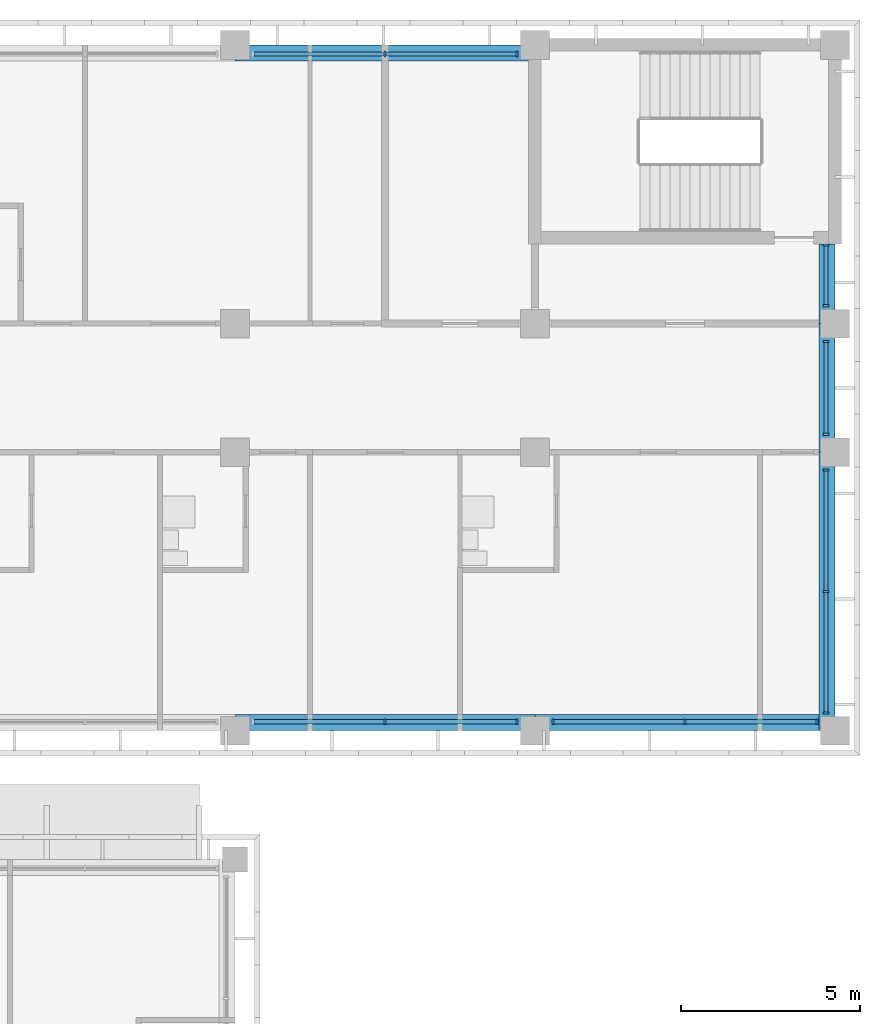
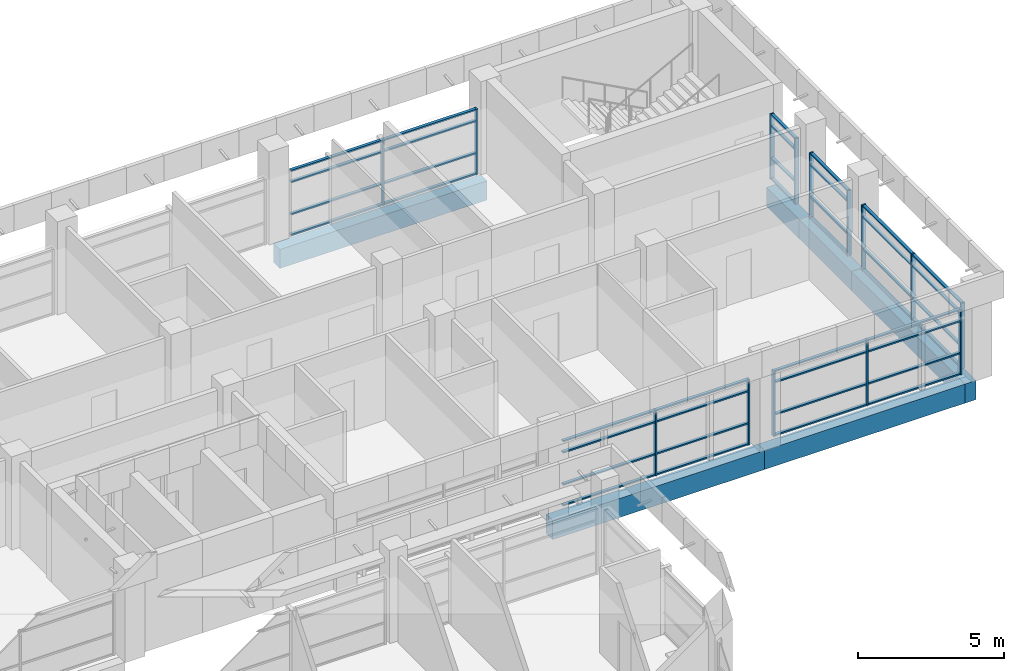
# One storey, part 19 of 71: 54 members, 6 beams, 6 elements without a shape of their own.
"""IFC4 building model written with IfcOpenShell, lengths in metres."""

from ifc_helpers import new_model, si_unit, direction, frame, origin, origin_2d, place, context, subcontext, project, spatial, rectangle, extrude, material, material_profile, profile_set, type_object, element, aggregate, save


model = new_model("IFC4")

# Units and contexts
model_context = context("Model", 3, precision=1e-05, world=origin(), true_north=direction((0.0, 1.0)))
body_context = subcontext(model_context, "Body", "Model", "MODEL_VIEW")
ifc_project = project(units=[si_unit("LENGTHUNIT", "METRE"), si_unit("AREAUNIT", "SQUARE_METRE"), si_unit("VOLUMEUNIT", "CUBIC_METRE"), si_unit("PLANEANGLEUNIT", "RADIAN"), si_unit("MASSUNIT", "GRAM", prefix="KILO")], contexts=[model_context])

# Site, building, storey
site_placement = place(None, origin())
site = spatial("IfcSite", under=ifc_project, at=site_placement, CompositionType="ELEMENT")
building_placement = place(site_placement, origin())
building = spatial("IfcBuilding", under=site, at=building_placement, Name="Bougainvillea Quay General Hospital", CompositionType="ELEMENT")
storey_placement = place(building_placement, frame((0.0, 0.0, 24.89990234375)))
storey = spatial("IfcBuildingStorey", under=building, at=storey_placement, Name="L05", CompositionType="ELEMENT", Elevation=24.89990234375)

# Curtain wall, members
ifc_material_1 = material(Name="Aluminium curtain wall system, powder-coated glazed", Category="aluminium")
curtain_wall_type_1 = type_object("IfcCurtainWallType", Name="Unitised curtain wall CW-3730", PredefinedType="NOTDEFINED", material=ifc_material_1)
curtain_wall_1_placement = place(storey_placement, origin())
curtain_wall_1 = element("IfcCurtainWall", 1, at=curtain_wall_1_placement, inside=storey, type_object=curtain_wall_type_1, Name="CW-4200 00", PredefinedType="NOTDEFINED")
ifc_material_2 = material(Name="Aluminium mullion, powder-coated charcoal", Category="aluminium")
ifc_material_profile_1 = material_profile(ifc_material_2, rectangle(XDim=0.159912109375, YDim=0.06005859375, at=origin_2d()))
ifc_profile_set_1 = profile_set([ifc_material_profile_1], Name="Aluminium mullion, powder-coated charcoal")
member_type_1 = type_object("IfcMemberType", Name="Curtain wall mullion 160x60", PredefinedType="MULLION", material=ifc_profile_set_1)
member_1_placement = place(storey_placement, frame((175.89990234375, 159.35009765625, 0.0), z_axis=(0.0, 0.0, 1.0), x_axis=(0.0, -1.0, 0.0)))
member_1 = element("IfcMember", 2, at=member_1_placement, type_object=member_type_1, Name="CW-4200 mullion 1", PredefinedType="MULLION", context=body_context, shape_type="SweptSolid", body=[
    extrude(rectangle(XDim=0.159912109375, YDim=0.06005859375, at=origin_2d()), origin(), (0.0, 0.0, 1.0), 2.75),
])
member_2_placement = place(storey_placement, frame((172.199951171875, 159.35009765625, 0.0), z_axis=(0.0, 0.0, 1.0), x_axis=(0.0, -1.0, 0.0)))
member_2 = element("IfcMember", 3, at=member_2_placement, type_object=member_type_1, Name="CW-4200 mullion 2", PredefinedType="MULLION", context=body_context, shape_type="SweptSolid", body=[
    extrude(rectangle(XDim=0.159912109375, YDim=0.06005859375, at=origin_2d()), origin(), (0.0, 0.0, 1.0), 2.75),
])

curtain_wall_2_placement = place(storey_placement, origin())
curtain_wall_2 = element("IfcCurtainWall", 4, at=curtain_wall_2_placement, inside=storey, type_object=curtain_wall_type_1, Name="CW-4200 01", PredefinedType="NOTDEFINED")
member_3_placement = place(storey_placement, frame((172.199951171875, 140.64990234375, 0.0), z_axis=(0.0, 0.0, 1.0), x_axis=(0.0, 1.0, 0.0)))
member_3 = element("IfcMember", 5, at=member_3_placement, type_object=member_type_1, Name="CW-4200 mullion 2", PredefinedType="MULLION", context=body_context, shape_type="SweptSolid", body=[
    extrude(rectangle(XDim=0.159912109375, YDim=0.06005859375, at=origin_2d()), origin(), (0.0, 0.0, 1.0), 2.75),
])
member_4_placement = place(storey_placement, frame((175.89990234375, 140.64990234375, 0.0), z_axis=(0.0, 0.0, 1.0), x_axis=(0.0, 1.0, 0.0)))
member_4 = element("IfcMember", 6, at=member_4_placement, type_object=member_type_1, Name="CW-4200 mullion 3", PredefinedType="MULLION", context=body_context, shape_type="SweptSolid", body=[
    extrude(rectangle(XDim=0.159912109375, YDim=0.06005859375, at=origin_2d()), origin(), (0.0, 0.0, 1.0), 2.75),
])

curtain_wall_3_placement = place(storey_placement, origin())
curtain_wall_3 = element("IfcCurtainWall", 7, at=curtain_wall_3_placement, inside=storey, type_object=curtain_wall_type_1, Name="CW-4200 02", PredefinedType="NOTDEFINED")
member_5_placement = place(storey_placement, frame((176.89990234375, 140.64990234375, 0.0), z_axis=(0.0, 0.0, 1.0), x_axis=(0.0, 1.0, 0.0)))
member_5 = element("IfcMember", 8, at=member_5_placement, type_object=member_type_1, Name="CW-4200 mullion 1", PredefinedType="MULLION", context=body_context, shape_type="SweptSolid", body=[
    extrude(rectangle(XDim=0.159912109375, YDim=0.06005859375, at=origin_2d()), origin(), (0.0, 0.0, 1.0), 2.75),
])
member_6_placement = place(storey_placement, frame((180.60009765625, 140.64990234375, 0.0), z_axis=(0.0, 0.0, 1.0), x_axis=(0.0, 1.0, 0.0)))
member_6 = element("IfcMember", 9, at=member_6_placement, type_object=member_type_1, Name="CW-4200 mullion 2", PredefinedType="MULLION", context=body_context, shape_type="SweptSolid", body=[
    extrude(rectangle(XDim=0.159912109375, YDim=0.06005859375, at=origin_2d()), origin(), (0.0, 0.0, 1.0), 2.75),
])
member_7_placement = place(storey_placement, frame((184.300048828125, 140.64990234375, 0.0), z_axis=(0.0, 0.0, 1.0), x_axis=(0.0, 1.0, 0.0)))
member_7 = element("IfcMember", 10, at=member_7_placement, type_object=member_type_1, Name="CW-4200 mullion 3", PredefinedType="MULLION", context=body_context, shape_type="SweptSolid", body=[
    extrude(rectangle(XDim=0.159912109375, YDim=0.06005859375, at=origin_2d()), origin(), (0.0, 0.0, 1.0), 2.75),
])

curtain_wall_type_2 = type_object("IfcCurtainWallType", Name="Unitised curtain wall CW-3430", PredefinedType="NOTDEFINED", material=ifc_material_1)
curtain_wall_4_placement = place(storey_placement, origin())
curtain_wall_4 = element("IfcCurtainWall", 11, at=curtain_wall_4_placement, inside=storey, type_object=curtain_wall_type_2, Name="CW-4200 00", PredefinedType="NOTDEFINED")
member_8_placement = place(storey_placement, frame((184.550048828125, 140.89990234375, 0.0), z_axis=(0.0, 0.0, 1.0), x_axis=(-1.0, 0.0, 0.0)))
member_8 = element("IfcMember", 12, at=member_8_placement, type_object=member_type_1, Name="CW-4200 mullion 1", PredefinedType="MULLION", context=body_context, shape_type="SweptSolid", body=[
    extrude(rectangle(XDim=0.159912109375, YDim=0.06005859375, at=origin_2d()), origin(), (0.0, 0.0, 1.0), 2.75),
])
member_9_placement = place(storey_placement, frame((184.550048828125, 144.300048828125, 0.0), z_axis=(0.0, 0.0, 1.0), x_axis=(-1.0, 0.0, 0.0)))
member_9 = element("IfcMember", 13, at=member_9_placement, type_object=member_type_1, Name="CW-4200 mullion 2", PredefinedType="MULLION", context=body_context, shape_type="SweptSolid", body=[
    extrude(rectangle(XDim=0.159912109375, YDim=0.06005859375, at=origin_2d()), origin(), (0.0, 0.0, 1.0), 2.75),
])
member_10_placement = place(storey_placement, frame((184.550048828125, 147.699951171875, 0.0), z_axis=(0.0, 0.0, 1.0), x_axis=(-1.0, 0.0, 0.0)))
member_10 = element("IfcMember", 14, at=member_10_placement, type_object=member_type_1, Name="CW-4200 mullion 3", PredefinedType="MULLION", context=body_context, shape_type="SweptSolid", body=[
    extrude(rectangle(XDim=0.159912109375, YDim=0.06005859375, at=origin_2d()), origin(), (0.0, 0.0, 1.0), 2.75),
])

curtain_wall_type_3 = type_object("IfcCurtainWallType", Name="Unitised curtain wall CW-2660", PredefinedType="NOTDEFINED", material=ifc_material_1)
curtain_wall_5_placement = place(storey_placement, origin())
curtain_wall_5 = element("IfcCurtainWall", 15, at=curtain_wall_5_placement, inside=storey, type_object=curtain_wall_type_3, Name="CW-4200 01", PredefinedType="NOTDEFINED")
member_11_placement = place(storey_placement, frame((184.550048828125, 148.699951171875, 0.0), z_axis=(0.0, 0.0, 1.0), x_axis=(-1.0, 0.0, 0.0)))
member_11 = element("IfcMember", 16, at=member_11_placement, type_object=member_type_1, Name="CW-4200 mullion 1", PredefinedType="MULLION", context=body_context, shape_type="SweptSolid", body=[
    extrude(rectangle(XDim=0.159912109375, YDim=0.06005859375, at=origin_2d()), origin(), (0.0, 0.0, 1.0), 2.75),
])
member_12_placement = place(storey_placement, frame((184.550048828125, 151.300048828125, 0.0), z_axis=(0.0, 0.0, 1.0), x_axis=(-1.0, 0.0, 0.0)))
member_12 = element("IfcMember", 17, at=member_12_placement, type_object=member_type_1, Name="CW-4200 mullion 2", PredefinedType="MULLION", context=body_context, shape_type="SweptSolid", body=[
    extrude(rectangle(XDim=0.159912109375, YDim=0.06005859375, at=origin_2d()), origin(), (0.0, 0.0, 1.0), 2.75),
])

curtain_wall_type_4 = type_object("IfcCurtainWallType", Name="Unitised curtain wall CW-1755", PredefinedType="NOTDEFINED", material=ifc_material_1)
curtain_wall_6_placement = place(storey_placement, origin())
curtain_wall_6 = element("IfcCurtainWall", 18, at=curtain_wall_6_placement, inside=storey, type_object=curtain_wall_type_4, Name="CW-4200 02", PredefinedType="NOTDEFINED")
member_13_placement = place(storey_placement, frame((184.550048828125, 152.300048828125, 0.0), z_axis=(0.0, 0.0, 1.0), x_axis=(-1.0, 0.0, 0.0)))
member_13 = element("IfcMember", 19, at=member_13_placement, type_object=member_type_1, Name="CW-4200 mullion 1", PredefinedType="MULLION", context=body_context, shape_type="SweptSolid", body=[
    extrude(rectangle(XDim=0.159912109375, YDim=0.06005859375, at=origin_2d()), origin(), (0.0, 0.0, 1.0), 2.75),
])
member_14_placement = place(storey_placement, frame((184.550048828125, 153.9951171875, 0.0), z_axis=(0.0, 0.0, 1.0), x_axis=(-1.0, 0.0, 0.0)))
member_14 = element("IfcMember", 20, at=member_14_placement, type_object=member_type_1, Name="CW-4200 mullion 2", PredefinedType="MULLION", context=body_context, shape_type="SweptSolid", body=[
    extrude(rectangle(XDim=0.159912109375, YDim=0.06005859375, at=origin_2d()), origin(), (0.0, 0.0, 1.0), 2.75),
])

# Member
ifc_material_3 = material(Name="Aluminium transom, powder-coated charcoal", Category="aluminium")
ifc_material_profile_2 = material_profile(ifc_material_3, rectangle(XDim=0.1201171875, YDim=0.06005859375, at=origin_2d()))
ifc_profile_set_2 = profile_set([ifc_material_profile_2], Name="Aluminium transom, powder-coated charcoal")
member_type_2 = type_object("IfcMemberType", Name="Curtain wall transom 120x60", PredefinedType="USERDEFINED", material=ifc_profile_set_2)
member_15_placement = place(storey_placement, frame((175.8701171875, 159.35009765625, 0.030029296875), z_axis=(-1.0, 0.0, 0.0), x_axis=(0.0, -1.0, 0.0)))
member_15 = element("IfcMember", 21, at=member_15_placement, type_object=member_type_2, Name="CW-4200 transom 1.1", ObjectType="TRANSOM", PredefinedType="USERDEFINED", context=body_context, shape_type="SweptSolid", body=[
    extrude(rectangle(XDim=0.1201171875, YDim=0.06005859375, at=origin_2d()), origin(), (0.0, 0.0, 1.0), 3.64013671875),
])

member_16_placement = place(storey_placement, frame((175.8701171875, 159.35009765625, 0.900146484375), z_axis=(-1.0, 0.0, 0.0), x_axis=(0.0, -1.0, 0.0)))
member_16 = element("IfcMember", 22, at=member_16_placement, type_object=member_type_2, Name="CW-4200 transom 1.2", ObjectType="TRANSOM", PredefinedType="USERDEFINED", context=body_context, shape_type="SweptSolid", body=[
    extrude(rectangle(XDim=0.1201171875, YDim=0.06005859375, at=origin_2d()), origin(), (0.0, 0.0, 1.0), 3.64013671875),
])

member_17_placement = place(storey_placement, frame((175.8701171875, 159.35009765625, 2.25), z_axis=(-1.0, 0.0, 0.0), x_axis=(0.0, -1.0, 0.0)))
member_17 = element("IfcMember", 23, at=member_17_placement, type_object=member_type_2, Name="CW-4200 transom 1.3", ObjectType="TRANSOM", PredefinedType="USERDEFINED", context=body_context, shape_type="SweptSolid", body=[
    extrude(rectangle(XDim=0.1201171875, YDim=0.06005859375, at=origin_2d()), origin(), (0.0, 0.0, 1.0), 3.64013671875),
])

member_18_placement = place(storey_placement, frame((175.8701171875, 159.35009765625, 2.72021484375), z_axis=(-1.0, 0.0, 0.0), x_axis=(0.0, -1.0, 0.0)))
member_18 = element("IfcMember", 24, at=member_18_placement, type_object=member_type_2, Name="CW-4200 transom 1.4", ObjectType="TRANSOM", PredefinedType="USERDEFINED", context=body_context, shape_type="SweptSolid", body=[
    extrude(rectangle(XDim=0.1201171875, YDim=0.06005859375, at=origin_2d()), origin(), (0.0, 0.0, 1.0), 3.64013671875),
])

member_19_placement = place(storey_placement, frame((172.169921875, 159.35009765625, 0.030029296875), z_axis=(-1.0, 0.0, 0.0), x_axis=(0.0, -1.0, 0.0)))
member_19 = element("IfcMember", 25, at=member_19_placement, type_object=member_type_2, Name="CW-4200 transom 2.1", ObjectType="TRANSOM", PredefinedType="USERDEFINED", context=body_context, shape_type="SweptSolid", body=[
    extrude(rectangle(XDim=0.1201171875, YDim=0.06005859375, at=origin_2d()), origin(), (0.0, 0.0, 1.0), 3.639892578125),
])

member_20_placement = place(storey_placement, frame((172.169921875, 159.35009765625, 0.900146484375), z_axis=(-1.0, 0.0, 0.0), x_axis=(0.0, -1.0, 0.0)))
member_20 = element("IfcMember", 26, at=member_20_placement, type_object=member_type_2, Name="CW-4200 transom 2.2", ObjectType="TRANSOM", PredefinedType="USERDEFINED", context=body_context, shape_type="SweptSolid", body=[
    extrude(rectangle(XDim=0.1201171875, YDim=0.06005859375, at=origin_2d()), origin(), (0.0, 0.0, 1.0), 3.639892578125),
])

member_21_placement = place(storey_placement, frame((172.169921875, 159.35009765625, 2.25), z_axis=(-1.0, 0.0, 0.0), x_axis=(0.0, -1.0, 0.0)))
member_21 = element("IfcMember", 27, at=member_21_placement, type_object=member_type_2, Name="CW-4200 transom 2.3", ObjectType="TRANSOM", PredefinedType="USERDEFINED", context=body_context, shape_type="SweptSolid", body=[
    extrude(rectangle(XDim=0.1201171875, YDim=0.06005859375, at=origin_2d()), origin(), (0.0, 0.0, 1.0), 3.639892578125),
])

member_22_placement = place(storey_placement, frame((172.169921875, 159.35009765625, 2.72021484375), z_axis=(-1.0, 0.0, 0.0), x_axis=(0.0, -1.0, 0.0)))
member_22 = element("IfcMember", 28, at=member_22_placement, type_object=member_type_2, Name="CW-4200 transom 2.4", ObjectType="TRANSOM", PredefinedType="USERDEFINED", context=body_context, shape_type="SweptSolid", body=[
    extrude(rectangle(XDim=0.1201171875, YDim=0.06005859375, at=origin_2d()), origin(), (0.0, 0.0, 1.0), 3.639892578125),
])

aggregate(curtain_wall_1, [member_1, member_2, member_15, member_16, member_17, member_18, member_19, member_20, member_21, member_22])

member_23_placement = place(storey_placement, frame((168.530029296875, 140.64990234375, 0.030029296875), z_axis=(1.0, 0.0, 0.0), x_axis=(0.0, 1.0, 0.0)))
member_23 = element("IfcMember", 29, at=member_23_placement, type_object=member_type_2, Name="CW-4200 transom 1.1", ObjectType="TRANSOM", PredefinedType="USERDEFINED", context=body_context, shape_type="SweptSolid", body=[
    extrude(rectangle(XDim=0.1201171875, YDim=0.06005859375, at=origin_2d()), origin(), (0.0, 0.0, 1.0), 3.639892578125),
])

member_24_placement = place(storey_placement, frame((168.530029296875, 140.64990234375, 0.900146484375), z_axis=(1.0, 0.0, 0.0), x_axis=(0.0, 1.0, 0.0)))
member_24 = element("IfcMember", 30, at=member_24_placement, type_object=member_type_2, Name="CW-4200 transom 1.2", ObjectType="TRANSOM", PredefinedType="USERDEFINED", context=body_context, shape_type="SweptSolid", body=[
    extrude(rectangle(XDim=0.1201171875, YDim=0.06005859375, at=origin_2d()), origin(), (0.0, 0.0, 1.0), 3.639892578125),
])

member_25_placement = place(storey_placement, frame((168.530029296875, 140.64990234375, 2.25), z_axis=(1.0, 0.0, 0.0), x_axis=(0.0, 1.0, 0.0)))
member_25 = element("IfcMember", 31, at=member_25_placement, type_object=member_type_2, Name="CW-4200 transom 1.3", ObjectType="TRANSOM", PredefinedType="USERDEFINED", context=body_context, shape_type="SweptSolid", body=[
    extrude(rectangle(XDim=0.1201171875, YDim=0.06005859375, at=origin_2d()), origin(), (0.0, 0.0, 1.0), 3.639892578125),
])

member_26_placement = place(storey_placement, frame((168.530029296875, 140.64990234375, 2.72021484375), z_axis=(1.0, 0.0, 0.0), x_axis=(0.0, 1.0, 0.0)))
member_26 = element("IfcMember", 32, at=member_26_placement, type_object=member_type_2, Name="CW-4200 transom 1.4", ObjectType="TRANSOM", PredefinedType="USERDEFINED", context=body_context, shape_type="SweptSolid", body=[
    extrude(rectangle(XDim=0.1201171875, YDim=0.06005859375, at=origin_2d()), origin(), (0.0, 0.0, 1.0), 3.639892578125),
])

member_27_placement = place(storey_placement, frame((172.22998046875, 140.64990234375, 0.030029296875), z_axis=(1.0, 0.0, 0.0), x_axis=(0.0, 1.0, 0.0)))
member_27 = element("IfcMember", 33, at=member_27_placement, type_object=member_type_2, Name="CW-4200 transom 2.1", ObjectType="TRANSOM", PredefinedType="USERDEFINED", context=body_context, shape_type="SweptSolid", body=[
    extrude(rectangle(XDim=0.1201171875, YDim=0.06005859375, at=origin_2d()), origin(), (0.0, 0.0, 1.0), 3.64013671875),
])

member_28_placement = place(storey_placement, frame((172.22998046875, 140.64990234375, 0.900146484375), z_axis=(1.0, 0.0, 0.0), x_axis=(0.0, 1.0, 0.0)))
member_28 = element("IfcMember", 34, at=member_28_placement, type_object=member_type_2, Name="CW-4200 transom 2.2", ObjectType="TRANSOM", PredefinedType="USERDEFINED", context=body_context, shape_type="SweptSolid", body=[
    extrude(rectangle(XDim=0.1201171875, YDim=0.06005859375, at=origin_2d()), origin(), (0.0, 0.0, 1.0), 3.64013671875),
])

member_29_placement = place(storey_placement, frame((172.22998046875, 140.64990234375, 2.25), z_axis=(1.0, 0.0, 0.0), x_axis=(0.0, 1.0, 0.0)))
member_29 = element("IfcMember", 35, at=member_29_placement, type_object=member_type_2, Name="CW-4200 transom 2.3", ObjectType="TRANSOM", PredefinedType="USERDEFINED", context=body_context, shape_type="SweptSolid", body=[
    extrude(rectangle(XDim=0.1201171875, YDim=0.06005859375, at=origin_2d()), origin(), (0.0, 0.0, 1.0), 3.64013671875),
])

member_30_placement = place(storey_placement, frame((172.22998046875, 140.64990234375, 2.72021484375), z_axis=(1.0, 0.0, 0.0), x_axis=(0.0, 1.0, 0.0)))
member_30 = element("IfcMember", 36, at=member_30_placement, type_object=member_type_2, Name="CW-4200 transom 2.4", ObjectType="TRANSOM", PredefinedType="USERDEFINED", context=body_context, shape_type="SweptSolid", body=[
    extrude(rectangle(XDim=0.1201171875, YDim=0.06005859375, at=origin_2d()), origin(), (0.0, 0.0, 1.0), 3.64013671875),
])

aggregate(curtain_wall_2, [member_3, member_4, member_23, member_24, member_25, member_26, member_27, member_28, member_29, member_30])

member_31_placement = place(storey_placement, frame((176.929931640625, 140.64990234375, 0.030029296875), z_axis=(1.0, 0.0, 0.0), x_axis=(0.0, 1.0, 0.0)))
member_31 = element("IfcMember", 37, at=member_31_placement, type_object=member_type_2, Name="CW-4200 transom 1.1", ObjectType="TRANSOM", PredefinedType="USERDEFINED", context=body_context, shape_type="SweptSolid", body=[
    extrude(rectangle(XDim=0.1201171875, YDim=0.06005859375, at=origin_2d()), origin(), (0.0, 0.0, 1.0), 3.64013671875),
])

member_32_placement = place(storey_placement, frame((176.929931640625, 140.64990234375, 0.900146484375), z_axis=(1.0, 0.0, 0.0), x_axis=(0.0, 1.0, 0.0)))
member_32 = element("IfcMember", 38, at=member_32_placement, type_object=member_type_2, Name="CW-4200 transom 1.2", ObjectType="TRANSOM", PredefinedType="USERDEFINED", context=body_context, shape_type="SweptSolid", body=[
    extrude(rectangle(XDim=0.1201171875, YDim=0.06005859375, at=origin_2d()), origin(), (0.0, 0.0, 1.0), 3.64013671875),
])

member_33_placement = place(storey_placement, frame((176.929931640625, 140.64990234375, 2.25), z_axis=(1.0, 0.0, 0.0), x_axis=(0.0, 1.0, 0.0)))
member_33 = element("IfcMember", 39, at=member_33_placement, type_object=member_type_2, Name="CW-4200 transom 1.3", ObjectType="TRANSOM", PredefinedType="USERDEFINED", context=body_context, shape_type="SweptSolid", body=[
    extrude(rectangle(XDim=0.1201171875, YDim=0.06005859375, at=origin_2d()), origin(), (0.0, 0.0, 1.0), 3.64013671875),
])

member_34_placement = place(storey_placement, frame((176.929931640625, 140.64990234375, 2.72021484375), z_axis=(1.0, 0.0, 0.0), x_axis=(0.0, 1.0, 0.0)))
member_34 = element("IfcMember", 40, at=member_34_placement, type_object=member_type_2, Name="CW-4200 transom 1.4", ObjectType="TRANSOM", PredefinedType="USERDEFINED", context=body_context, shape_type="SweptSolid", body=[
    extrude(rectangle(XDim=0.1201171875, YDim=0.06005859375, at=origin_2d()), origin(), (0.0, 0.0, 1.0), 3.64013671875),
])

member_35_placement = place(storey_placement, frame((180.6298828125, 140.64990234375, 0.030029296875), z_axis=(1.0, 0.0, 0.0), x_axis=(0.0, 1.0, 0.0)))
member_35 = element("IfcMember", 41, at=member_35_placement, type_object=member_type_2, Name="CW-4200 transom 2.1", ObjectType="TRANSOM", PredefinedType="USERDEFINED", context=body_context, shape_type="SweptSolid", body=[
    extrude(rectangle(XDim=0.1201171875, YDim=0.06005859375, at=origin_2d()), origin(), (0.0, 0.0, 1.0), 3.64013671875),
])

member_36_placement = place(storey_placement, frame((180.6298828125, 140.64990234375, 0.900146484375), z_axis=(1.0, 0.0, 0.0), x_axis=(0.0, 1.0, 0.0)))
member_36 = element("IfcMember", 42, at=member_36_placement, type_object=member_type_2, Name="CW-4200 transom 2.2", ObjectType="TRANSOM", PredefinedType="USERDEFINED", context=body_context, shape_type="SweptSolid", body=[
    extrude(rectangle(XDim=0.1201171875, YDim=0.06005859375, at=origin_2d()), origin(), (0.0, 0.0, 1.0), 3.64013671875),
])

member_37_placement = place(storey_placement, frame((180.6298828125, 140.64990234375, 2.25), z_axis=(1.0, 0.0, 0.0), x_axis=(0.0, 1.0, 0.0)))
member_37 = element("IfcMember", 43, at=member_37_placement, type_object=member_type_2, Name="CW-4200 transom 2.3", ObjectType="TRANSOM", PredefinedType="USERDEFINED", context=body_context, shape_type="SweptSolid", body=[
    extrude(rectangle(XDim=0.1201171875, YDim=0.06005859375, at=origin_2d()), origin(), (0.0, 0.0, 1.0), 3.64013671875),
])

member_38_placement = place(storey_placement, frame((180.6298828125, 140.64990234375, 2.72021484375), z_axis=(1.0, 0.0, 0.0), x_axis=(0.0, 1.0, 0.0)))
member_38 = element("IfcMember", 44, at=member_38_placement, type_object=member_type_2, Name="CW-4200 transom 2.4", ObjectType="TRANSOM", PredefinedType="USERDEFINED", context=body_context, shape_type="SweptSolid", body=[
    extrude(rectangle(XDim=0.1201171875, YDim=0.06005859375, at=origin_2d()), origin(), (0.0, 0.0, 1.0), 3.64013671875),
])

aggregate(curtain_wall_3, [member_5, member_6, member_7, member_31, member_32, member_33, member_34, member_35, member_36, member_37, member_38])

member_39_placement = place(storey_placement, frame((184.550048828125, 140.929931640625, 0.030029296875), z_axis=(0.0, 1.0, 0.0), x_axis=(-1.0, 0.0, 0.0)))
member_39 = element("IfcMember", 45, at=member_39_placement, type_object=member_type_2, Name="CW-4200 transom 1.1", ObjectType="TRANSOM", PredefinedType="USERDEFINED", context=body_context, shape_type="SweptSolid", body=[
    extrude(rectangle(XDim=0.1201171875, YDim=0.06005859375, at=origin_2d()), origin(), (0.0, 0.0, 1.0), 3.340087890625),
])

member_40_placement = place(storey_placement, frame((184.550048828125, 140.929931640625, 0.900146484375), z_axis=(0.0, 1.0, 0.0), x_axis=(-1.0, 0.0, 0.0)))
member_40 = element("IfcMember", 46, at=member_40_placement, type_object=member_type_2, Name="CW-4200 transom 1.2", ObjectType="TRANSOM", PredefinedType="USERDEFINED", context=body_context, shape_type="SweptSolid", body=[
    extrude(rectangle(XDim=0.1201171875, YDim=0.06005859375, at=origin_2d()), origin(), (0.0, 0.0, 1.0), 3.340087890625),
])

member_41_placement = place(storey_placement, frame((184.550048828125, 140.929931640625, 2.25), z_axis=(0.0, 1.0, 0.0), x_axis=(-1.0, 0.0, 0.0)))
member_41 = element("IfcMember", 47, at=member_41_placement, type_object=member_type_2, Name="CW-4200 transom 1.3", ObjectType="TRANSOM", PredefinedType="USERDEFINED", context=body_context, shape_type="SweptSolid", body=[
    extrude(rectangle(XDim=0.1201171875, YDim=0.06005859375, at=origin_2d()), origin(), (0.0, 0.0, 1.0), 3.340087890625),
])

member_42_placement = place(storey_placement, frame((184.550048828125, 140.929931640625, 2.72021484375), z_axis=(0.0, 1.0, 0.0), x_axis=(-1.0, 0.0, 0.0)))
member_42 = element("IfcMember", 48, at=member_42_placement, type_object=member_type_2, Name="CW-4200 transom 1.4", ObjectType="TRANSOM", PredefinedType="USERDEFINED", context=body_context, shape_type="SweptSolid", body=[
    extrude(rectangle(XDim=0.1201171875, YDim=0.06005859375, at=origin_2d()), origin(), (0.0, 0.0, 1.0), 3.340087890625),
])

member_43_placement = place(storey_placement, frame((184.550048828125, 144.330078125, 0.030029296875), z_axis=(0.0, 1.0, 0.0), x_axis=(-1.0, 0.0, 0.0)))
member_43 = element("IfcMember", 49, at=member_43_placement, type_object=member_type_2, Name="CW-4200 transom 2.1", ObjectType="TRANSOM", PredefinedType="USERDEFINED", context=body_context, shape_type="SweptSolid", body=[
    extrude(rectangle(XDim=0.1201171875, YDim=0.06005859375, at=origin_2d()), origin(), (0.0, 0.0, 1.0), 3.33984375),
])

member_44_placement = place(storey_placement, frame((184.550048828125, 144.330078125, 0.900146484375), z_axis=(0.0, 1.0, 0.0), x_axis=(-1.0, 0.0, 0.0)))
member_44 = element("IfcMember", 50, at=member_44_placement, type_object=member_type_2, Name="CW-4200 transom 2.2", ObjectType="TRANSOM", PredefinedType="USERDEFINED", context=body_context, shape_type="SweptSolid", body=[
    extrude(rectangle(XDim=0.1201171875, YDim=0.06005859375, at=origin_2d()), origin(), (0.0, 0.0, 1.0), 3.33984375),
])

member_45_placement = place(storey_placement, frame((184.550048828125, 144.330078125, 2.25), z_axis=(0.0, 1.0, 0.0), x_axis=(-1.0, 0.0, 0.0)))
member_45 = element("IfcMember", 51, at=member_45_placement, type_object=member_type_2, Name="CW-4200 transom 2.3", ObjectType="TRANSOM", PredefinedType="USERDEFINED", context=body_context, shape_type="SweptSolid", body=[
    extrude(rectangle(XDim=0.1201171875, YDim=0.06005859375, at=origin_2d()), origin(), (0.0, 0.0, 1.0), 3.33984375),
])

member_46_placement = place(storey_placement, frame((184.550048828125, 144.330078125, 2.72021484375), z_axis=(0.0, 1.0, 0.0), x_axis=(-1.0, 0.0, 0.0)))
member_46 = element("IfcMember", 52, at=member_46_placement, type_object=member_type_2, Name="CW-4200 transom 2.4", ObjectType="TRANSOM", PredefinedType="USERDEFINED", context=body_context, shape_type="SweptSolid", body=[
    extrude(rectangle(XDim=0.1201171875, YDim=0.06005859375, at=origin_2d()), origin(), (0.0, 0.0, 1.0), 3.33984375),
])

aggregate(curtain_wall_4, [member_8, member_9, member_10, member_39, member_40, member_41, member_42, member_43, member_44, member_45, member_46])

member_47_placement = place(storey_placement, frame((184.550048828125, 148.72998046875, 0.030029296875), z_axis=(0.0, 1.0, 0.0), x_axis=(-1.0, 0.0, 0.0)))
member_47 = element("IfcMember", 53, at=member_47_placement, type_object=member_type_2, Name="CW-4200 transom 1.1", ObjectType="TRANSOM", PredefinedType="USERDEFINED", context=body_context, shape_type="SweptSolid", body=[
    extrude(rectangle(XDim=0.1201171875, YDim=0.06005859375, at=origin_2d()), origin(), (0.0, 0.0, 1.0), 2.5400390625),
])

member_48_placement = place(storey_placement, frame((184.550048828125, 148.72998046875, 0.900146484375), z_axis=(0.0, 1.0, 0.0), x_axis=(-1.0, 0.0, 0.0)))
member_48 = element("IfcMember", 54, at=member_48_placement, type_object=member_type_2, Name="CW-4200 transom 1.2", ObjectType="TRANSOM", PredefinedType="USERDEFINED", context=body_context, shape_type="SweptSolid", body=[
    extrude(rectangle(XDim=0.1201171875, YDim=0.06005859375, at=origin_2d()), origin(), (0.0, 0.0, 1.0), 2.5400390625),
])

member_49_placement = place(storey_placement, frame((184.550048828125, 148.72998046875, 2.25), z_axis=(0.0, 1.0, 0.0), x_axis=(-1.0, 0.0, 0.0)))
member_49 = element("IfcMember", 55, at=member_49_placement, type_object=member_type_2, Name="CW-4200 transom 1.3", ObjectType="TRANSOM", PredefinedType="USERDEFINED", context=body_context, shape_type="SweptSolid", body=[
    extrude(rectangle(XDim=0.1201171875, YDim=0.06005859375, at=origin_2d()), origin(), (0.0, 0.0, 1.0), 2.5400390625),
])

member_50_placement = place(storey_placement, frame((184.550048828125, 148.72998046875, 2.72021484375), z_axis=(0.0, 1.0, 0.0), x_axis=(-1.0, 0.0, 0.0)))
member_50 = element("IfcMember", 56, at=member_50_placement, type_object=member_type_2, Name="CW-4200 transom 1.4", ObjectType="TRANSOM", PredefinedType="USERDEFINED", context=body_context, shape_type="SweptSolid", body=[
    extrude(rectangle(XDim=0.1201171875, YDim=0.06005859375, at=origin_2d()), origin(), (0.0, 0.0, 1.0), 2.5400390625),
])

aggregate(curtain_wall_5, [member_11, member_12, member_47, member_48, member_49, member_50])

member_51_placement = place(storey_placement, frame((184.550048828125, 152.330078125, 0.030029296875), z_axis=(0.0, 1.0, 0.0), x_axis=(-1.0, 0.0, 0.0)))
member_51 = element("IfcMember", 57, at=member_51_placement, type_object=member_type_2, Name="CW-4200 transom 1.1", ObjectType="TRANSOM", PredefinedType="USERDEFINED", context=body_context, shape_type="SweptSolid", body=[
    extrude(rectangle(XDim=0.1201171875, YDim=0.06005859375, at=origin_2d()), origin(), (0.0, 0.0, 1.0), 1.635009765625),
])

member_52_placement = place(storey_placement, frame((184.550048828125, 152.330078125, 0.900146484375), z_axis=(0.0, 1.0, 0.0), x_axis=(-1.0, 0.0, 0.0)))
member_52 = element("IfcMember", 58, at=member_52_placement, type_object=member_type_2, Name="CW-4200 transom 1.2", ObjectType="TRANSOM", PredefinedType="USERDEFINED", context=body_context, shape_type="SweptSolid", body=[
    extrude(rectangle(XDim=0.1201171875, YDim=0.06005859375, at=origin_2d()), origin(), (0.0, 0.0, 1.0), 1.635009765625),
])

member_53_placement = place(storey_placement, frame((184.550048828125, 152.330078125, 2.25), z_axis=(0.0, 1.0, 0.0), x_axis=(-1.0, 0.0, 0.0)))
member_53 = element("IfcMember", 59, at=member_53_placement, type_object=member_type_2, Name="CW-4200 transom 1.3", ObjectType="TRANSOM", PredefinedType="USERDEFINED", context=body_context, shape_type="SweptSolid", body=[
    extrude(rectangle(XDim=0.1201171875, YDim=0.06005859375, at=origin_2d()), origin(), (0.0, 0.0, 1.0), 1.635009765625),
])

member_54_placement = place(storey_placement, frame((184.550048828125, 152.330078125, 2.72021484375), z_axis=(0.0, 1.0, 0.0), x_axis=(-1.0, 0.0, 0.0)))
member_54 = element("IfcMember", 60, at=member_54_placement, type_object=member_type_2, Name="CW-4200 transom 1.4", ObjectType="TRANSOM", PredefinedType="USERDEFINED", context=body_context, shape_type="SweptSolid", body=[
    extrude(rectangle(XDim=0.1201171875, YDim=0.06005859375, at=origin_2d()), origin(), (0.0, 0.0, 1.0), 1.635009765625),
])

aggregate(curtain_wall_6, [member_13, member_14, member_51, member_52, member_53, member_54])

# Beams
ifc_material_4 = material(Name="Concrete C40", Category="concrete")
ifc_material_profile_3 = material_profile(ifc_material_4, rectangle(XDim=0.449951171875, YDim=0.800048828125, at=origin_2d()))
ifc_profile_set_3 = profile_set([ifc_material_profile_3], Name="Concrete C40")
beam_type = type_object("IfcBeamType", Name="RC BEAM 450x800 C40", PredefinedType="BEAM", material=ifc_profile_set_3)
beam_1_placement = place(storey_placement, frame((176.22509765625, 159.375, -0.699951171875), z_axis=(-1.0, 0.0, 0.0), x_axis=(0.0, -1.0, 0.0)))
element("IfcBeam", 61, at=beam_1_placement, inside=storey, type_object=beam_type, Name="Edge beam L05", PredefinedType="BEAM", context=body_context, shape_type="SweptSolid", body=[
    extrude(rectangle(XDim=0.449951171875, YDim=0.800048828125, at=origin_2d()), origin(), (0.0, 0.0, 1.0), 8.22509765625),
])
beam_2_placement = place(storey_placement, frame((168.0, 140.625, -0.699951171875), z_axis=(1.0, 0.0, 0.0), x_axis=(0.0, 1.0, 0.0)))
element("IfcBeam", 62, at=beam_2_placement, inside=storey, type_object=beam_type, Name="Edge beam L05", PredefinedType="BEAM", context=body_context, shape_type="SweptSolid", body=[
    extrude(rectangle(XDim=0.449951171875, YDim=0.800048828125, at=origin_2d()), origin(), (0.0, 0.0, 1.0), 8.39990234375),
])
beam_3_placement = place(storey_placement, frame((176.39990234375, 140.625, -0.699951171875), z_axis=(1.0, 0.0, 0.0), x_axis=(0.0, 1.0, 0.0)))
element("IfcBeam", 63, at=beam_3_placement, inside=storey, type_object=beam_type, Name="Edge beam L05", PredefinedType="BEAM", context=body_context, shape_type="SweptSolid", body=[
    extrude(rectangle(XDim=0.449951171875, YDim=0.800048828125, at=origin_2d()), origin(), (0.0, 0.0, 1.0), 8.400146484375),
])
beam_4_placement = place(storey_placement, frame((184.574951171875, 140.39990234375, -0.699951171875), z_axis=(0.0, 1.0, 0.0), x_axis=(-1.0, 0.0, 0.0)))
element("IfcBeam", 64, at=beam_4_placement, inside=storey, type_object=beam_type, Name="Edge beam L05", PredefinedType="BEAM", context=body_context, shape_type="SweptSolid", body=[
    extrude(rectangle(XDim=0.449951171875, YDim=0.800048828125, at=origin_2d()), origin(), (0.0, 0.0, 1.0), 7.800048828125),
])
beam_5_placement = place(storey_placement, frame((184.574951171875, 148.199951171875, -0.699951171875), z_axis=(0.0, 1.0, 0.0), x_axis=(-1.0, 0.0, 0.0)))
element("IfcBeam", 65, at=beam_5_placement, inside=storey, type_object=beam_type, Name="Edge beam L05", PredefinedType="BEAM", context=body_context, shape_type="SweptSolid", body=[
    extrude(rectangle(XDim=0.449951171875, YDim=0.800048828125, at=origin_2d()), origin(), (0.0, 0.0, 1.0), 3.60009765625),
])
beam_6_placement = place(storey_placement, frame((184.574951171875, 151.800048828125, -0.699951171875), z_axis=(0.0, 1.0, 0.0), x_axis=(-1.0, 0.0, 0.0)))
element("IfcBeam", 66, at=beam_6_placement, inside=storey, type_object=beam_type, Name="Edge beam L05", PredefinedType="BEAM", context=body_context, shape_type="SweptSolid", body=[
    extrude(rectangle(XDim=0.449951171875, YDim=0.800048828125, at=origin_2d()), origin(), (0.0, 0.0, 1.0), 2.224853515625),
])

save(model, "model.ifc")
